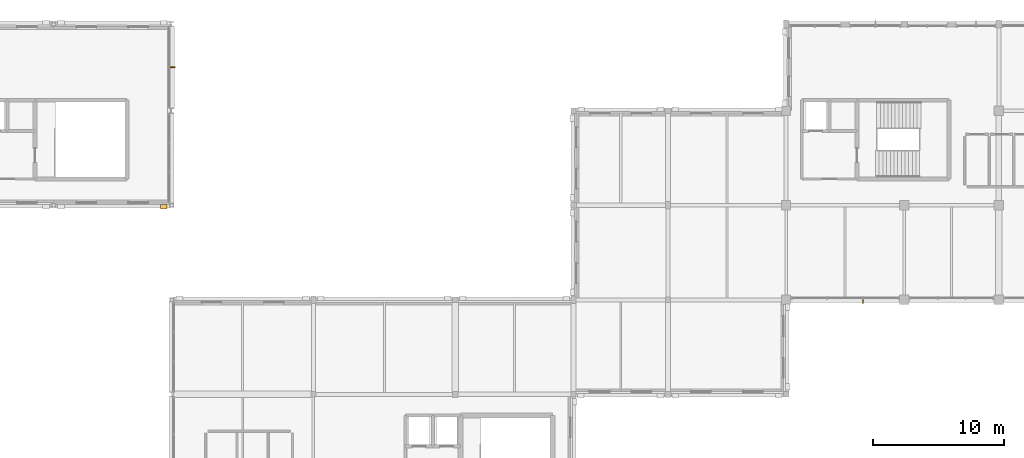
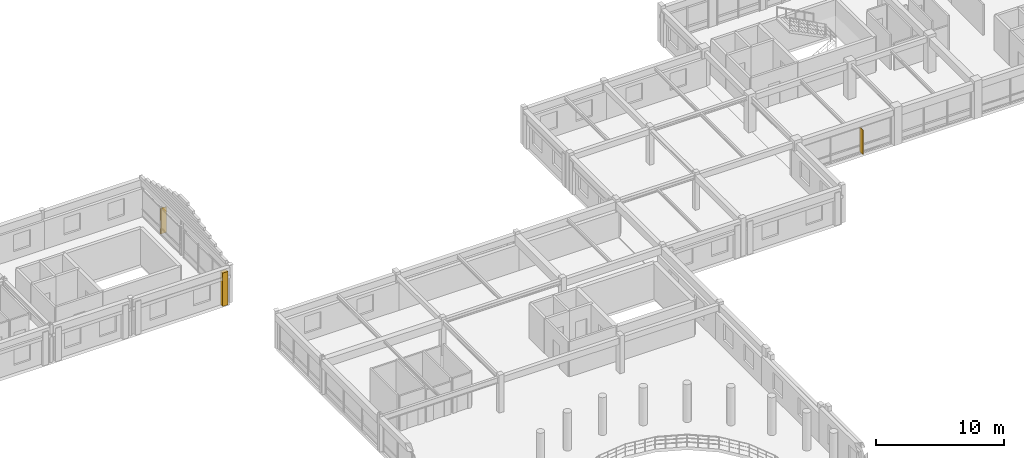
# One storey, part 49 of 52: 2 shading devices, 1 covering.
"""IFC4 building model written with IfcOpenShell, lengths in metres."""

from ifc_helpers import new_model, si_unit, direction, frame, frame_2d, origin, place, context, subcontext, project, spatial, rectangle, extrude, material, layer, layer_set, type_object, element, save


model = new_model("IFC4")

# Units and contexts
model_context = context("Model", 3, precision=1e-05, world=origin(), true_north=direction((0.0, 1.0)))
body_context = subcontext(model_context, "Body", "Model", "MODEL_VIEW")
ifc_project = project(units=[si_unit("LENGTHUNIT", "METRE"), si_unit("AREAUNIT", "SQUARE_METRE"), si_unit("VOLUMEUNIT", "CUBIC_METRE"), si_unit("PLANEANGLEUNIT", "RADIAN"), si_unit("MASSUNIT", "GRAM", prefix="KILO")], contexts=[model_context])

# Site, building, storey
site_placement = place(None, origin())
site = spatial("IfcSite", under=ifc_project, at=site_placement, CompositionType="ELEMENT")
building_placement = place(site_placement, origin())
building = spatial("IfcBuilding", under=site, at=building_placement, Name="Clarverna Civic Hall", CompositionType="ELEMENT")
storey_placement = place(building_placement, frame((0.0, 0.0, 16.800048828125)))
storey = spatial("IfcBuildingStorey", under=building, at=storey_placement, Name="L04", CompositionType="ELEMENT", Elevation=16.800048828125)

# Covering
ifc_material_1 = material(Name="Montjuic Buff Limestone Ashlar Cladding", Category="masonry")
ifc_layer_1 = layer(ifc_material_1, 0.070068359375)
ifc_layer_set_1 = layer_set([ifc_layer_1], Name="Montjuic Buff Limestone Ashlar Cladding")
covering_type = type_object("IfcCoveringType", Name="CV-CL2", PredefinedType="CLADDING", material=ifc_layer_set_1)
covering_placement = place(storey_placement, frame((66.2548828125, 102.090087890625, 0.0), z_axis=(0.0, 0.0, 1.0), x_axis=(-1.0, 0.0, 0.0)))
element("IfcCovering", 1, at=covering_placement, inside=storey, type_object=covering_type, Name="CV-CL2-831", PredefinedType="CLADDING", context=body_context, shape_type="SweptSolid", body=[
    extrude(rectangle(XDim=0.5, YDim=0.340087890625, at=frame_2d((0.25, 0.0))), origin(), (0.0, 0.0, 1.0), 3.179931640625),
])

# Shading devices
ifc_material_2 = material(Name="Anodised Bronze Architectural Solar Fin", Category="aluminium")
ifc_layer_2 = layer(ifc_material_2, 0.054931640625)
ifc_layer_set_2 = layer_set([ifc_layer_2], Name="Anodised Bronze Architectural Solar Fin")
shading_device_type = type_object("IfcShadingDeviceType", Name="SD-FN1", PredefinedType="USERDEFINED", material=ifc_layer_set_2)
shading_device_1_placement = place(storey_placement, frame((119.259033203125, 95.169921875, 0.14990234375), z_axis=(0.0, 0.0, 1.0), x_axis=(0.0, -1.0, 0.0)))
element("IfcShadingDevice", 2, at=shading_device_1_placement, inside=storey, type_object=shading_device_type, Name="SD-FN1-060", ObjectType="FIN", PredefinedType="USERDEFINED", context=body_context, shape_type="SweptSolid", body=[
    extrude(rectangle(XDim=0.47998046875, YDim=0.054931640625, at=frame_2d((0.239990234375, 0.0))), origin(), (0.0, 0.0, 1.0), 2.300048828125),
])
shading_device_2_placement = place(storey_placement, frame((66.405029296875, 112.705078125, 0.14990234375), z_axis=(0.0, 0.0, 1.0), x_axis=(1.0, 0.0, 0.0)))
element("IfcShadingDevice", 3, at=shading_device_2_placement, inside=storey, type_object=shading_device_type, Name="SD-FN1-064", ObjectType="FIN", PredefinedType="USERDEFINED", context=body_context, shape_type="SweptSolid", body=[
    extrude(rectangle(XDim=0.47998046875, YDim=0.054931640625, at=frame_2d((0.239990234375, 0.0))), origin(), (0.0, 0.0, 1.0), 2.43994140625),
])

save(model, "model.ifc")
